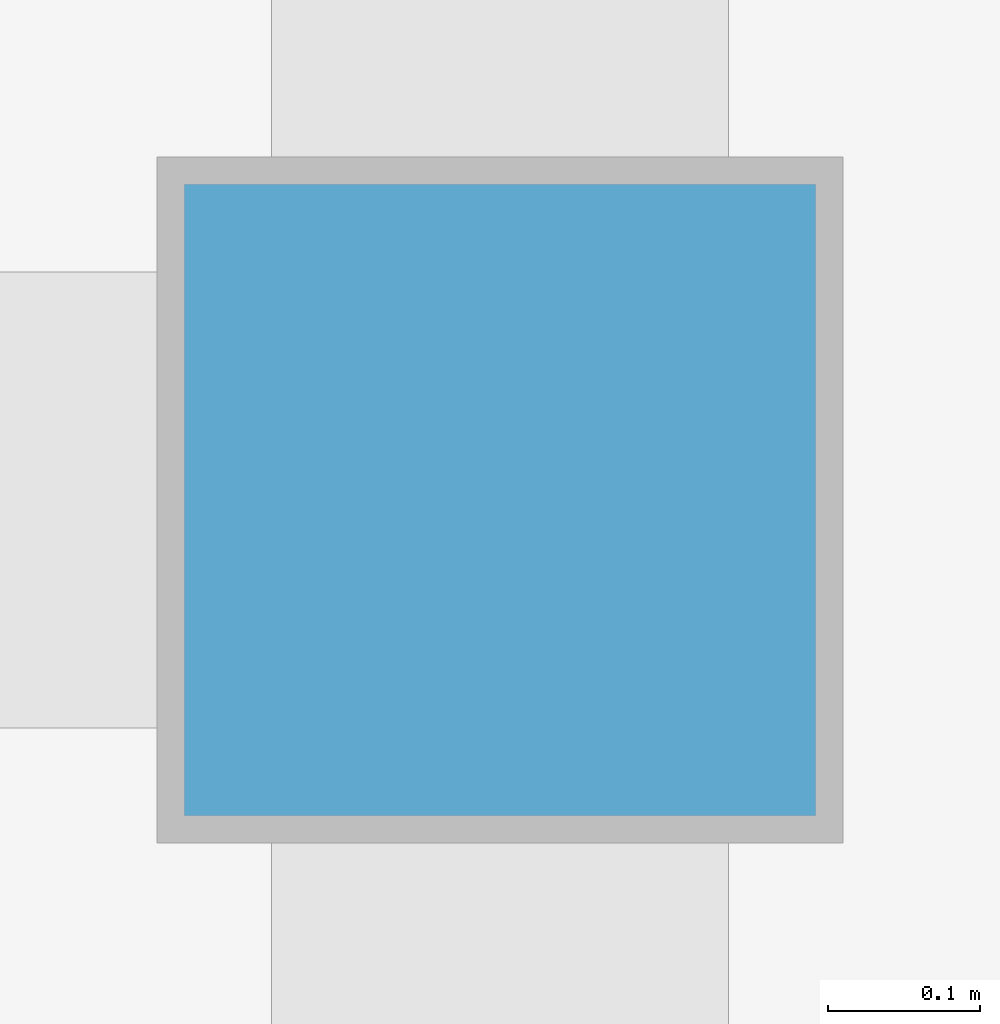
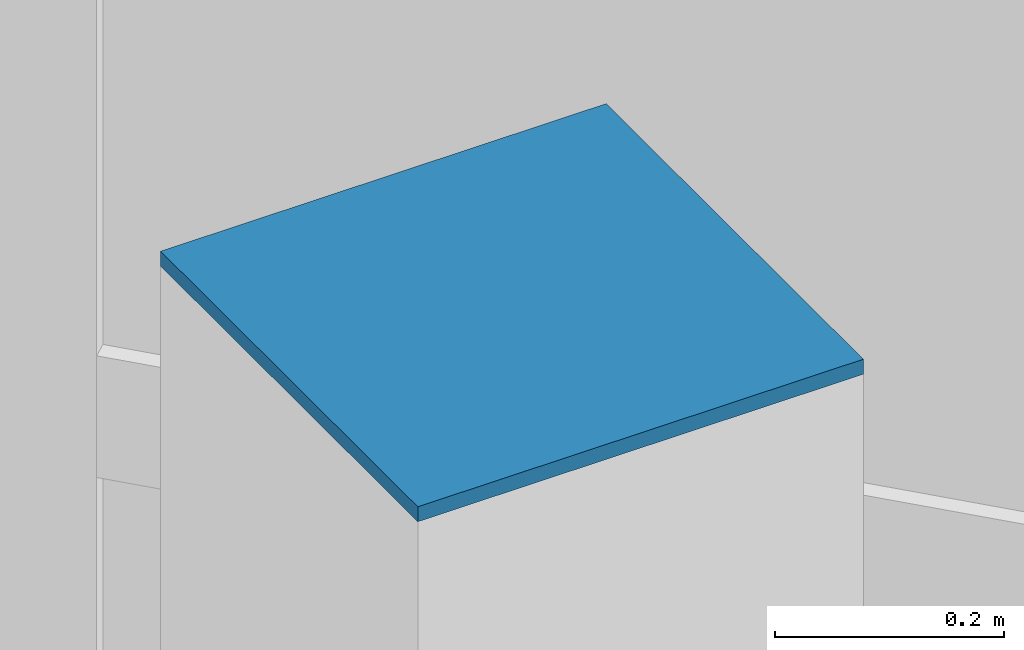
# One storey, part 49 of 57: 1 discrete accessory.
"""IFC4 building model written with IfcOpenShell, lengths in metres."""

from ifc_helpers import new_model, si_unit, direction, frame, origin, origin_2d, place, context, subcontext, project, spatial, rectangle, extrude, material, type_object, element, save


model = new_model("IFC4")

# Units and contexts
model_context = context("Model", 3, precision=1e-05, world=origin(), true_north=direction((0.0, 1.0)))
body_context = subcontext(model_context, "Body", "Model", "MODEL_VIEW")
ifc_project = project(units=[si_unit("LENGTHUNIT", "METRE"), si_unit("AREAUNIT", "SQUARE_METRE"), si_unit("VOLUMEUNIT", "CUBIC_METRE"), si_unit("PLANEANGLEUNIT", "RADIAN"), si_unit("MASSUNIT", "GRAM", prefix="KILO"), si_unit("THERMODYNAMICTEMPERATUREUNIT", "KELVIN")], contexts=[model_context])

# Site, building, storey
site_placement = place(None, origin())
site = spatial("IfcSite", under=ifc_project, at=site_placement, CompositionType="ELEMENT")
building_placement = place(site_placement, origin())
building = spatial("IfcBuilding", under=site, at=building_placement, Name="Lustrewick Department Store", CompositionType="ELEMENT")
storey_placement = place(building_placement, frame((0.0, 0.0, 26.699951171875)))
storey = spatial("IfcBuildingStorey", under=building, at=storey_placement, Name="L06", CompositionType="ELEMENT", Elevation=26.699951171875)

# Discrete accessory
ifc_material = material(Name="Structural steel Q355C", Category="steel")
discrete_accessory_type = type_object("IfcDiscreteAccessoryType", Name="ECP-01", PredefinedType="USERDEFINED", material=ifc_material)
discrete_accessory_placement = place(storey_placement, frame((142.800048828125, 84.0, 5.093994140625), z_axis=(0.0, 0.0, 1.0), x_axis=(1.0, 0.0, 0.0)))
element("IfcDiscreteAccessory", 1, at=discrete_accessory_placement, inside=storey, type_object=discrete_accessory_type, Name="L06 Welded Hollow-Section End-Cap Plate ECP-01", ObjectType="END_CAP_PLATE", PredefinedType="USERDEFINED", context=body_context, shape_type="SweptSolid", body=[
    extrude(rectangle(XDim=0.449951171875, YDim=0.449951171875, at=origin_2d()), origin(), (0.0, 0.0, 1.0), 0.01611328125),
])

save(model, "model.ifc")
